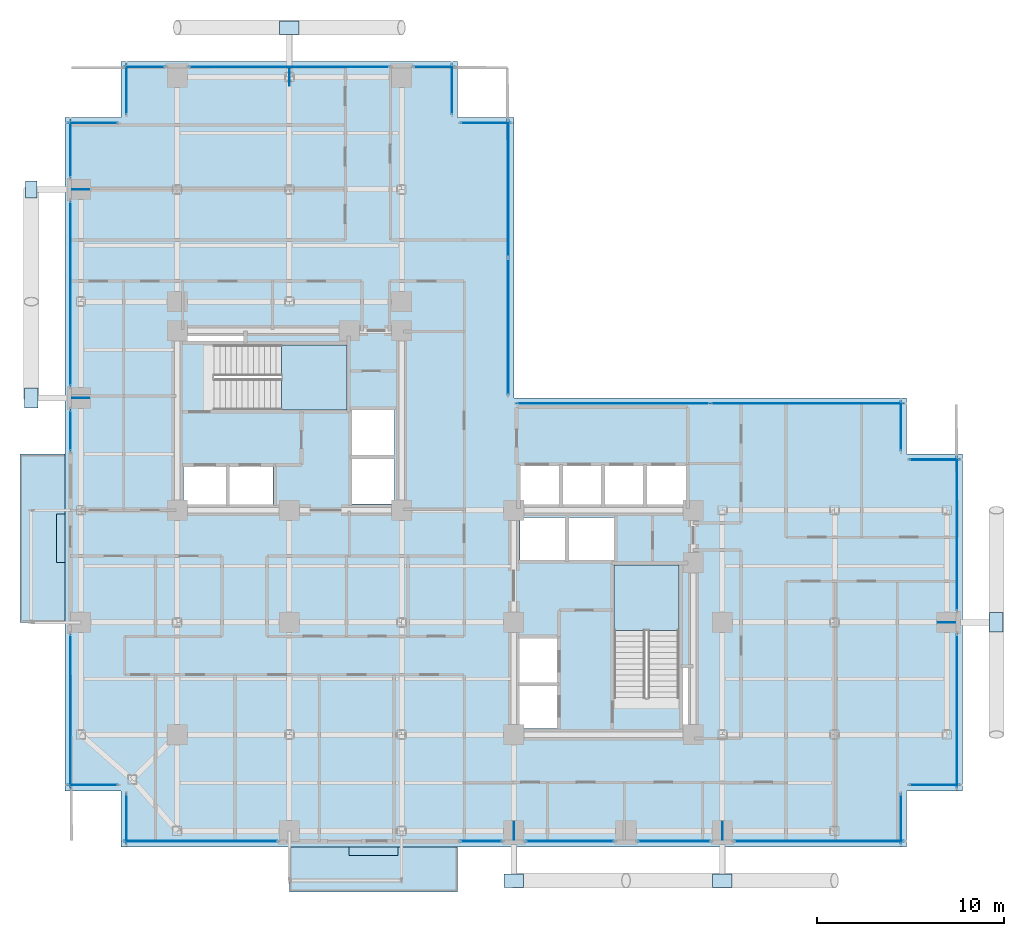
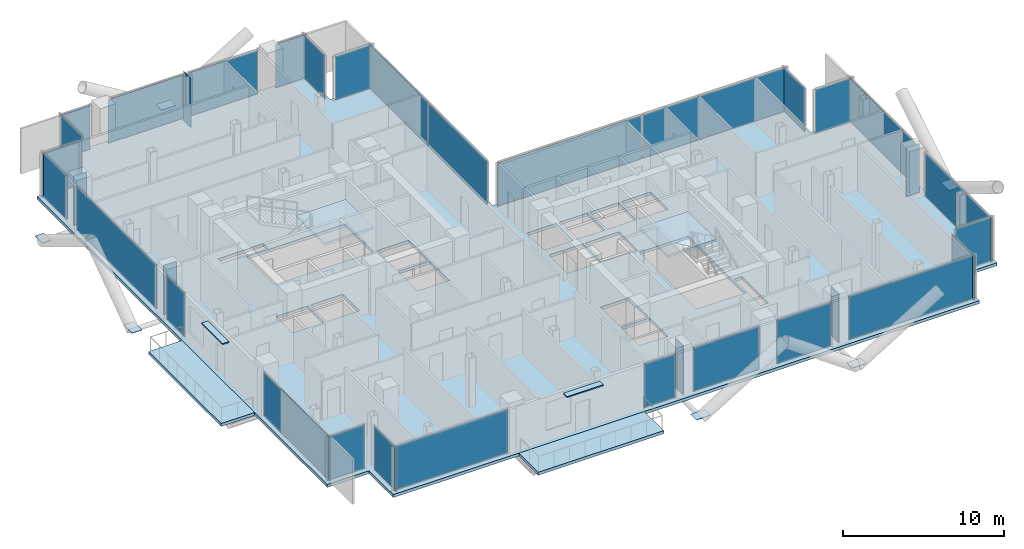
# One storey, part 17 of 24: 42 plates, 5 slabs, 28 elements without a shape of their own.
"""IFC4 building model written with IfcOpenShell, lengths in metres."""

from ifc_helpers import new_model, si_unit, direction, frame, origin, origin_2d, place, context, subcontext, project, spatial, polyline, rectangle, outline, extrude, material, layer, layer_set, type_object, element, aggregate, save


model = new_model("IFC4")

# Units and contexts
model_context = context("Model", 3, precision=1e-05, world=origin(), true_north=direction((0.0, 1.0)))
body_context = subcontext(model_context, "Body", "Model", "MODEL_VIEW")
ifc_project = project(units=[si_unit("LENGTHUNIT", "METRE"), si_unit("AREAUNIT", "SQUARE_METRE"), si_unit("VOLUMEUNIT", "CUBIC_METRE"), si_unit("PLANEANGLEUNIT", "RADIAN"), si_unit("MASSUNIT", "GRAM", prefix="KILO"), si_unit("THERMODYNAMICTEMPERATUREUNIT", "KELVIN"), si_unit("POWERUNIT", "WATT")], contexts=[model_context])

# Site, building, storey
site_placement = place(None, origin())
site = spatial("IfcSite", under=ifc_project, at=site_placement, CompositionType="ELEMENT")
building_placement = place(site_placement, origin())
building = spatial("IfcBuilding", under=site, at=building_placement, Name="Svarakhadi Broadcast Tower", CompositionType="ELEMENT")
storey_placement = place(building_placement, frame((0.0, 0.0, 160.64990234375)))
storey = spatial("IfcBuildingStorey", under=building, at=storey_placement, Name="L39", CompositionType="ELEMENT", Elevation=160.64990234375)

# Curtain wall, plate
ifc_material_1 = material(Name="Anodised Bronze Aluminium AA 6063-T6", Category="aluminium")
ifc_layer_1 = layer(ifc_material_1, 0.199951171875)
ifc_layer_set_1 = layer_set([ifc_layer_1], Name="Anodised Bronze Aluminium AA 6063-T6")
curtain_wall_type = type_object("IfcCurtainWallType", Name="CW_Sys_03", PredefinedType="NOTDEFINED", material=ifc_layer_set_1)
curtain_wall_1_placement = place(storey_placement, origin())
curtain_wall_1 = element("IfcCurtainWall", 1, at=curtain_wall_1_placement, inside=storey, type_object=curtain_wall_type, Name="L39 Unitised Facade Curtain Wall 01", PredefinedType="NOTDEFINED")
ifc_material_2 = material(Name="Double Low-E Laminated Acoustic Glass IGU 36 mm", Category="glass")
ifc_layer_2 = layer(ifc_material_2, 0.035888671875)
ifc_layer_set_2 = layer_set([ifc_layer_2], Name="Double Low-E Laminated Acoustic Glass IGU 36 mm")
plate_type_1 = type_object("IfcPlateType", Name="CW_Sys_03_Pnl", PredefinedType="CURTAIN_PANEL", material=ifc_layer_set_2)
plate_1_placement = place(storey_placement, frame((1.5, 3.300048828125, 0.0703125), z_axis=(0.0, 0.0, 1.0), x_axis=(-1.0, 0.0, 0.0)))
plate_1 = element("IfcPlate", 2, at=plate_1_placement, type_object=plate_type_1, Name="CW-03 panel 1.1", PredefinedType="CURTAIN_PANEL", context=body_context, shape_type="SweptSolid", body=[
    extrude(rectangle(XDim=2.669921875, YDim=0.035888671875, at=origin_2d()), origin(), (0.0, 0.0, 1.0), 3.284912109375),
])
aggregate(curtain_wall_1, [plate_1])

curtain_wall_2_placement = place(storey_placement, origin())
curtain_wall_2 = element("IfcCurtainWall", 3, at=curtain_wall_2_placement, inside=storey, type_object=curtain_wall_type, Name="L39 West Curtain Wall 02", PredefinedType="NOTDEFINED")
plate_2_placement = place(storey_placement, frame((0.300048828125, 7.260009765625, 0.0703125), z_axis=(0.0, 0.0, 1.0), x_axis=(0.0, 1.0, 0.0)))
plate_2 = element("IfcPlate", 4, at=plate_2_placement, type_object=plate_type_1, Name="CW-03 panel 1.1", PredefinedType="CURTAIN_PANEL", context=body_context, shape_type="SweptSolid", body=[
    extrude(rectangle(XDim=8.18994140625, YDim=0.035888671875, at=origin_2d()), origin(), (0.0, 0.0, 1.0), 3.284912109375),
])
aggregate(curtain_wall_2, [plate_2])

curtain_wall_3_placement = place(storey_placement, origin())
curtain_wall_3 = element("IfcCurtainWall", 5, at=curtain_wall_3_placement, inside=storey, type_object=curtain_wall_type, Name="L39 West Curtain Wall 03 Bay 1", PredefinedType="NOTDEFINED")
plate_3_placement = place(storey_placement, frame((0.300048828125, 22.260009765625, 0.0703125), z_axis=(0.0, 0.0, 1.0), x_axis=(0.0, 1.0, 0.0)))
plate_3 = element("IfcPlate", 6, at=plate_3_placement, type_object=plate_type_1, Name="CW-03 panel 1.1", PredefinedType="CURTAIN_PANEL", context=body_context, shape_type="SweptSolid", body=[
    extrude(rectangle(XDim=2.18994140625, YDim=0.035888671875, at=origin_2d()), origin(), (0.0, 0.0, 1.0), 3.284912109375),
])
aggregate(curtain_wall_3, [plate_3])

curtain_wall_4_placement = place(storey_placement, origin())
curtain_wall_4 = element("IfcCurtainWall", 7, at=curtain_wall_4_placement, inside=storey, type_object=curtain_wall_type, Name="L39 West Curtain Wall 03 Bay 2", PredefinedType="NOTDEFINED")
plate_4_placement = place(storey_placement, frame((0.300048828125, 29.574951171875, 0.0703125), z_axis=(0.0, 0.0, 1.0), x_axis=(0.0, 1.0, 0.0)))
plate_4 = element("IfcPlate", 8, at=plate_4_placement, type_object=plate_type_1, Name="CW-03 panel 1.1", PredefinedType="CURTAIN_PANEL", context=body_context, shape_type="SweptSolid", body=[
    extrude(rectangle(XDim=9.860107421875, YDim=0.035888671875, at=origin_2d()), origin(), (0.0, 0.0, 1.0), 3.284912109375),
])
aggregate(curtain_wall_4, [plate_4])

curtain_wall_5_placement = place(storey_placement, origin())
curtain_wall_5 = element("IfcCurtainWall", 9, at=curtain_wall_5_placement, inside=storey, type_object=curtain_wall_type, Name="L39 West Curtain Wall 03 Bay 3", PredefinedType="NOTDEFINED")
plate_5_placement = place(storey_placement, frame((0.300048828125, 37.31494140625, 0.0703125), z_axis=(0.0, 0.0, 1.0), x_axis=(0.0, 1.0, 0.0)))
plate_5 = element("IfcPlate", 10, at=plate_5_placement, type_object=plate_type_1, Name="CW-03 panel 1.1", PredefinedType="CURTAIN_PANEL", context=body_context, shape_type="SweptSolid", body=[
    extrude(rectangle(XDim=3.0400390625, YDim=0.035888671875, at=origin_2d()), origin(), (0.0, 0.0, 1.0), 3.284912109375),
])
aggregate(curtain_wall_5, [plate_5])

curtain_wall_6_placement = place(storey_placement, origin())
curtain_wall_6 = element("IfcCurtainWall", 11, at=curtain_wall_6_placement, inside=storey, type_object=curtain_wall_type, Name="L39 Unitised Facade Curtain Wall 04", PredefinedType="NOTDEFINED")
plate_6_placement = place(storey_placement, frame((1.5, 38.699951171875, 0.0703125), z_axis=(0.0, 0.0, 1.0), x_axis=(1.0, 0.0, 0.0)))
plate_6 = element("IfcPlate", 12, at=plate_6_placement, type_object=plate_type_1, Name="CW-03 panel 1.1", PredefinedType="CURTAIN_PANEL", context=body_context, shape_type="SweptSolid", body=[
    extrude(rectangle(XDim=2.669921875, YDim=0.035888671875, at=origin_2d()), origin(), (0.0, 0.0, 1.0), 3.284912109375),
])
aggregate(curtain_wall_6, [plate_6])

curtain_wall_7_placement = place(storey_placement, origin())
curtain_wall_7 = element("IfcCurtainWall", 13, at=curtain_wall_7_placement, inside=storey, type_object=curtain_wall_type, Name="L39 Unitised Facade Curtain Wall 05", PredefinedType="NOTDEFINED")
plate_7_placement = place(storey_placement, frame((3.300048828125, 40.5, 0.0703125), z_axis=(0.0, 0.0, 1.0), x_axis=(0.0, 1.0, 0.0)))
plate_7 = element("IfcPlate", 14, at=plate_7_placement, type_object=plate_type_1, Name="CW-03 panel 1.1", PredefinedType="CURTAIN_PANEL", context=body_context, shape_type="SweptSolid", body=[
    extrude(rectangle(XDim=2.669921875, YDim=0.035888671875, at=origin_2d()), origin(), (0.0, 0.0, 1.0), 3.284912109375),
])
aggregate(curtain_wall_7, [plate_7])

curtain_wall_8_placement = place(storey_placement, origin())
curtain_wall_8 = element("IfcCurtainWall", 15, at=curtain_wall_8_placement, inside=storey, type_object=curtain_wall_type, Name="L39 Unitised Facade Curtain Wall 06 Bay 1", PredefinedType="NOTDEFINED")
plate_8_placement = place(storey_placement, frame((4.260009765625, 41.699951171875, 0.0703125), z_axis=(0.0, 0.0, 1.0), x_axis=(1.0, 0.0, 0.0)))
plate_8 = element("IfcPlate", 16, at=plate_8_placement, type_object=plate_type_1, Name="CW-03 panel 1.1", PredefinedType="CURTAIN_PANEL", context=body_context, shape_type="SweptSolid", body=[
    extrude(rectangle(XDim=2.18994140625, YDim=0.035888671875, at=origin_2d()), origin(), (0.0, 0.0, 1.0), 3.284912109375),
])
aggregate(curtain_wall_8, [plate_8])

curtain_wall_9_placement = place(storey_placement, origin())
curtain_wall_9 = element("IfcCurtainWall", 17, at=curtain_wall_9_placement, inside=storey, type_object=curtain_wall_type, Name="L39 Unitised Facade Curtain Wall 06 Bay 2", PredefinedType="NOTDEFINED")
plate_9_placement = place(storey_placement, frame((12.0, 41.699951171875, 0.0703125), z_axis=(0.0, 0.0, 1.0), x_axis=(1.0, 0.0, 0.0)))
plate_9 = element("IfcPlate", 18, at=plate_9_placement, type_object=plate_type_1, Name="CW-03 panel 1.1", PredefinedType="CURTAIN_PANEL", context=body_context, shape_type="SweptSolid", body=[
    extrude(rectangle(XDim=10.7099609375, YDim=0.035888671875, at=origin_2d()), origin(), (0.0, 0.0, 1.0), 3.284912109375),
])
aggregate(curtain_wall_9, [plate_9])

curtain_wall_10_placement = place(storey_placement, origin())
curtain_wall_10 = element("IfcCurtainWall", 19, at=curtain_wall_10_placement, inside=storey, type_object=curtain_wall_type, Name="L39 Unitised Facade Curtain Wall 06 Bay 3", PredefinedType="NOTDEFINED")
plate_10_placement = place(storey_placement, frame((19.739990234375, 41.699951171875, 0.0703125), z_axis=(0.0, 0.0, 1.0), x_axis=(1.0, 0.0, 0.0)))
plate_10 = element("IfcPlate", 20, at=plate_10_placement, type_object=plate_type_1, Name="CW-03 panel 1.1", PredefinedType="CURTAIN_PANEL", context=body_context, shape_type="SweptSolid", body=[
    extrude(rectangle(XDim=2.18994140625, YDim=0.035888671875, at=origin_2d()), origin(), (0.0, 0.0, 1.0), 3.284912109375),
])
aggregate(curtain_wall_10, [plate_10])

curtain_wall_11_placement = place(storey_placement, origin())
curtain_wall_11 = element("IfcCurtainWall", 21, at=curtain_wall_11_placement, inside=storey, type_object=curtain_wall_type, Name="L39 Unitised Facade Curtain Wall 07", PredefinedType="NOTDEFINED")
plate_11_placement = place(storey_placement, frame((20.699951171875, 40.5, 0.0703125), z_axis=(0.0, 0.0, 1.0), x_axis=(0.0, -1.0, 0.0)))
plate_11 = element("IfcPlate", 22, at=plate_11_placement, type_object=plate_type_1, Name="CW-03 panel 1.1", PredefinedType="CURTAIN_PANEL", context=body_context, shape_type="SweptSolid", body=[
    extrude(rectangle(XDim=2.669921875, YDim=0.035888671875, at=origin_2d()), origin(), (0.0, 0.0, 1.0), 3.284912109375),
])
aggregate(curtain_wall_11, [plate_11])

curtain_wall_12_placement = place(storey_placement, origin())
curtain_wall_12 = element("IfcCurtainWall", 23, at=curtain_wall_12_placement, inside=storey, type_object=curtain_wall_type, Name="L39 Unitised Facade Curtain Wall 08", PredefinedType="NOTDEFINED")
plate_12_placement = place(storey_placement, frame((22.5, 38.699951171875, 0.0703125), z_axis=(0.0, 0.0, 1.0), x_axis=(1.0, 0.0, 0.0)))
plate_12 = element("IfcPlate", 24, at=plate_12_placement, type_object=plate_type_1, Name="CW-03 panel 1.1", PredefinedType="CURTAIN_PANEL", context=body_context, shape_type="SweptSolid", body=[
    extrude(rectangle(XDim=2.669921875, YDim=0.035888671875, at=origin_2d()), origin(), (0.0, 0.0, 1.0), 3.284912109375),
])
aggregate(curtain_wall_12, [plate_12])

# Curtain wall, plates
curtain_wall_13_placement = place(storey_placement, origin())
curtain_wall_13 = element("IfcCurtainWall", 25, at=curtain_wall_13_placement, inside=storey, type_object=curtain_wall_type, Name="L39 Unitised Facade Curtain Wall 09", PredefinedType="NOTDEFINED")
plate_13_placement = place(storey_placement, frame((23.699951171875, 35.186279296875, 0.0703125), z_axis=(0.0, 0.0, 1.0), x_axis=(0.0, -1.0, 0.0)))
plate_13 = element("IfcPlate", 26, at=plate_13_placement, type_object=plate_type_1, Name="CW-03 panel 1.1", PredefinedType="CURTAIN_PANEL", context=body_context, shape_type="SweptSolid", body=[
    extrude(rectangle(XDim=7.297607421875, YDim=0.035888671875, at=origin_2d()), origin(), (0.0, 0.0, 1.0), 3.284912109375),
])
plate_14_placement = place(storey_placement, frame((23.699951171875, 27.813720703125, 0.0703125), z_axis=(0.0, 0.0, 1.0), x_axis=(0.0, -1.0, 0.0)))
plate_14 = element("IfcPlate", 27, at=plate_14_placement, type_object=plate_type_1, Name="CW-03 panel 2.1", PredefinedType="CURTAIN_PANEL", context=body_context, shape_type="SweptSolid", body=[
    extrude(rectangle(XDim=7.297607421875, YDim=0.035888671875, at=origin_2d()), origin(), (0.0, 0.0, 1.0), 3.284912109375),
])
aggregate(curtain_wall_13, [plate_13, plate_14])

curtain_wall_14_placement = place(storey_placement, origin())
curtain_wall_14 = element("IfcCurtainWall", 28, at=curtain_wall_14_placement, inside=storey, type_object=curtain_wall_type, Name="L39 Unitised Facade Curtain Wall 10", PredefinedType="NOTDEFINED")
plate_15_placement = place(storey_placement, frame((29.313720703125, 23.699951171875, 0.0703125), z_axis=(0.0, 0.0, 1.0), x_axis=(1.0, 0.0, 0.0)))
plate_15 = element("IfcPlate", 29, at=plate_15_placement, type_object=plate_type_1, Name="CW-03 panel 1.1", PredefinedType="CURTAIN_PANEL", context=body_context, shape_type="SweptSolid", body=[
    extrude(rectangle(XDim=10.297607421875, YDim=0.035888671875, at=origin_2d()), origin(), (0.0, 0.0, 1.0), 3.284912109375),
])
plate_16_placement = place(storey_placement, frame((39.686279296875, 23.699951171875, 0.0703125), z_axis=(0.0, 0.0, 1.0), x_axis=(1.0, 0.0, 0.0)))
plate_16 = element("IfcPlate", 30, at=plate_16_placement, type_object=plate_type_1, Name="CW-03 panel 2.1", PredefinedType="CURTAIN_PANEL", context=body_context, shape_type="SweptSolid", body=[
    extrude(rectangle(XDim=10.297607421875, YDim=0.035888671875, at=origin_2d()), origin(), (0.0, 0.0, 1.0), 3.284912109375),
])
aggregate(curtain_wall_14, [plate_15, plate_16])

# Curtain wall, plate
curtain_wall_15_placement = place(storey_placement, origin())
curtain_wall_15 = element("IfcCurtainWall", 31, at=curtain_wall_15_placement, inside=storey, type_object=curtain_wall_type, Name="L39 Unitised Facade Curtain Wall 11", PredefinedType="NOTDEFINED")
plate_17_placement = place(storey_placement, frame((44.699951171875, 22.5, 0.0703125), z_axis=(0.0, 0.0, 1.0), x_axis=(0.0, -1.0, 0.0)))
plate_17 = element("IfcPlate", 32, at=plate_17_placement, type_object=plate_type_1, Name="CW-03 panel 1.1", PredefinedType="CURTAIN_PANEL", context=body_context, shape_type="SweptSolid", body=[
    extrude(rectangle(XDim=2.669921875, YDim=0.035888671875, at=origin_2d()), origin(), (0.0, 0.0, 1.0), 3.284912109375),
])
aggregate(curtain_wall_15, [plate_17])

curtain_wall_16_placement = place(storey_placement, origin())
curtain_wall_16 = element("IfcCurtainWall", 33, at=curtain_wall_16_placement, inside=storey, type_object=curtain_wall_type, Name="L39 Unitised Facade Curtain Wall 12", PredefinedType="NOTDEFINED")
plate_18_placement = place(storey_placement, frame((46.5, 20.699951171875, 0.0703125), z_axis=(0.0, 0.0, 1.0), x_axis=(1.0, 0.0, 0.0)))
plate_18 = element("IfcPlate", 34, at=plate_18_placement, type_object=plate_type_1, Name="CW-03 panel 1.1", PredefinedType="CURTAIN_PANEL", context=body_context, shape_type="SweptSolid", body=[
    extrude(rectangle(XDim=2.669921875, YDim=0.035888671875, at=origin_2d()), origin(), (0.0, 0.0, 1.0), 3.284912109375),
])
aggregate(curtain_wall_16, [plate_18])

curtain_wall_17_placement = place(storey_placement, origin())
curtain_wall_17 = element("IfcCurtainWall", 35, at=curtain_wall_17_placement, inside=storey, type_object=curtain_wall_type, Name="L39 Unitised Facade Curtain Wall 13 Bay 1", PredefinedType="NOTDEFINED")
plate_19_placement = place(storey_placement, frame((47.699951171875, 16.739990234375, 0.0703125), z_axis=(0.0, 0.0, 1.0), x_axis=(0.0, -1.0, 0.0)))
plate_19 = element("IfcPlate", 36, at=plate_19_placement, type_object=plate_type_1, Name="CW-03 panel 1.1", PredefinedType="CURTAIN_PANEL", context=body_context, shape_type="SweptSolid", body=[
    extrude(rectangle(XDim=8.18994140625, YDim=0.035888671875, at=origin_2d()), origin(), (0.0, 0.0, 1.0), 3.284912109375),
])
aggregate(curtain_wall_17, [plate_19])

curtain_wall_18_placement = place(storey_placement, origin())
curtain_wall_18 = element("IfcCurtainWall", 37, at=curtain_wall_18_placement, inside=storey, type_object=curtain_wall_type, Name="L39 Unitised Facade Curtain Wall 13 Bay 2", PredefinedType="NOTDEFINED")
plate_20_placement = place(storey_placement, frame((47.699951171875, 7.260009765625, 0.0703125), z_axis=(0.0, 0.0, 1.0), x_axis=(0.0, -1.0, 0.0)))
plate_20 = element("IfcPlate", 38, at=plate_20_placement, type_object=plate_type_1, Name="CW-03 panel 1.1", PredefinedType="CURTAIN_PANEL", context=body_context, shape_type="SweptSolid", body=[
    extrude(rectangle(XDim=8.18994140625, YDim=0.035888671875, at=origin_2d()), origin(), (0.0, 0.0, 1.0), 3.284912109375),
])
aggregate(curtain_wall_18, [plate_20])

curtain_wall_19_placement = place(storey_placement, origin())
curtain_wall_19 = element("IfcCurtainWall", 39, at=curtain_wall_19_placement, inside=storey, type_object=curtain_wall_type, Name="L39 Unitised Facade Curtain Wall 14", PredefinedType="NOTDEFINED")
plate_21_placement = place(storey_placement, frame((46.5, 3.300048828125, 0.0703125), z_axis=(0.0, 0.0, 1.0), x_axis=(-1.0, 0.0, 0.0)))
plate_21 = element("IfcPlate", 40, at=plate_21_placement, type_object=plate_type_1, Name="CW-03 panel 1.1", PredefinedType="CURTAIN_PANEL", context=body_context, shape_type="SweptSolid", body=[
    extrude(rectangle(XDim=2.669921875, YDim=0.035888671875, at=origin_2d()), origin(), (0.0, 0.0, 1.0), 3.284912109375),
])
aggregate(curtain_wall_19, [plate_21])

curtain_wall_20_placement = place(storey_placement, origin())
curtain_wall_20 = element("IfcCurtainWall", 41, at=curtain_wall_20_placement, inside=storey, type_object=curtain_wall_type, Name="L39 Unitised Facade Curtain Wall 15", PredefinedType="NOTDEFINED")
plate_22_placement = place(storey_placement, frame((44.699951171875, 1.5, 0.0703125), z_axis=(0.0, 0.0, 1.0), x_axis=(0.0, -1.0, 0.0)))
plate_22 = element("IfcPlate", 42, at=plate_22_placement, type_object=plate_type_1, Name="CW-03 panel 1.1", PredefinedType="CURTAIN_PANEL", context=body_context, shape_type="SweptSolid", body=[
    extrude(rectangle(XDim=2.669921875, YDim=0.035888671875, at=origin_2d()), origin(), (0.0, 0.0, 1.0), 3.284912109375),
])
aggregate(curtain_wall_20, [plate_22])

curtain_wall_21_placement = place(storey_placement, origin())
curtain_wall_21 = element("IfcCurtainWall", 43, at=curtain_wall_21_placement, inside=storey, type_object=curtain_wall_type, Name="L39 South Curtain Wall 16 Bay 1", PredefinedType="NOTDEFINED")
plate_23_placement = place(storey_placement, frame((40.31494140625, 0.300048828125, 0.0703125), z_axis=(0.0, 0.0, 1.0), x_axis=(-1.0, 0.0, 0.0)))
plate_23 = element("IfcPlate", 44, at=plate_23_placement, type_object=plate_type_1, Name="CW-03 panel 1.1", PredefinedType="CURTAIN_PANEL", context=body_context, shape_type="SweptSolid", body=[
    extrude(rectangle(XDim=9.0400390625, YDim=0.035888671875, at=origin_2d()), origin(), (0.0, 0.0, 1.0), 3.284912109375),
])
aggregate(curtain_wall_21, [plate_23])

curtain_wall_22_placement = place(storey_placement, origin())
curtain_wall_22 = element("IfcCurtainWall", 45, at=curtain_wall_22_placement, inside=storey, type_object=curtain_wall_type, Name="L39 South Curtain Wall 16 Bay 2", PredefinedType="NOTDEFINED")
plate_24_placement = place(storey_placement, frame((32.574951171875, 0.300048828125, 0.0703125), z_axis=(0.0, 0.0, 1.0), x_axis=(-1.0, 0.0, 0.0)))
plate_24 = element("IfcPlate", 46, at=plate_24_placement, type_object=plate_type_1, Name="CW-03 panel 1.1", PredefinedType="CURTAIN_PANEL", context=body_context, shape_type="SweptSolid", body=[
    extrude(rectangle(XDim=3.860107421875, YDim=0.035888671875, at=origin_2d()), origin(), (0.0, 0.0, 1.0), 3.284912109375),
])
aggregate(curtain_wall_22, [plate_24])

curtain_wall_23_placement = place(storey_placement, origin())
curtain_wall_23 = element("IfcCurtainWall", 47, at=curtain_wall_23_placement, inside=storey, type_object=curtain_wall_type, Name="L39 South Curtain Wall 16 Bay 3", PredefinedType="NOTDEFINED")
plate_25_placement = place(storey_placement, frame((27.0, 0.300048828125, 0.0703125), z_axis=(0.0, 0.0, 1.0), x_axis=(-1.0, 0.0, 0.0)))
plate_25 = element("IfcPlate", 48, at=plate_25_placement, type_object=plate_type_1, Name="CW-03 panel 1.1", PredefinedType="CURTAIN_PANEL", context=body_context, shape_type="SweptSolid", body=[
    extrude(rectangle(XDim=4.7099609375, YDim=0.035888671875, at=origin_2d()), origin(), (0.0, 0.0, 1.0), 3.284912109375),
])
aggregate(curtain_wall_23, [plate_25])

curtain_wall_24_placement = place(storey_placement, origin())
curtain_wall_24 = element("IfcCurtainWall", 49, at=curtain_wall_24_placement, inside=storey, type_object=curtain_wall_type, Name="L39 South Curtain Wall 16 Bay 4", PredefinedType="NOTDEFINED")
plate_26_placement = place(storey_placement, frame((22.260009765625, 0.300048828125, 0.0703125), z_axis=(0.0, 0.0, 1.0), x_axis=(-1.0, 0.0, 0.0)))
plate_26 = element("IfcPlate", 50, at=plate_26_placement, type_object=plate_type_1, Name="CW-03 panel 1.1", PredefinedType="CURTAIN_PANEL", context=body_context, shape_type="SweptSolid", body=[
    extrude(rectangle(XDim=2.18994140625, YDim=0.035888671875, at=origin_2d()), origin(), (0.0, 0.0, 1.0), 3.284912109375),
])
aggregate(curtain_wall_24, [plate_26])

curtain_wall_25_placement = place(storey_placement, origin())
curtain_wall_25 = element("IfcCurtainWall", 51, at=curtain_wall_25_placement, inside=storey, type_object=curtain_wall_type, Name="L39 South Curtain Wall 17", PredefinedType="NOTDEFINED")
plate_27_placement = place(storey_placement, frame((7.260009765625, 0.300048828125, 0.0703125), z_axis=(0.0, 0.0, 1.0), x_axis=(-1.0, 0.0, 0.0)))
plate_27 = element("IfcPlate", 52, at=plate_27_placement, type_object=plate_type_1, Name="CW-03 panel 1.1", PredefinedType="CURTAIN_PANEL", context=body_context, shape_type="SweptSolid", body=[
    extrude(rectangle(XDim=8.18994140625, YDim=0.035888671875, at=origin_2d()), origin(), (0.0, 0.0, 1.0), 3.284912109375),
])
aggregate(curtain_wall_25, [plate_27])

curtain_wall_26_placement = place(storey_placement, origin())
curtain_wall_26 = element("IfcCurtainWall", 53, at=curtain_wall_26_placement, inside=storey, type_object=curtain_wall_type, Name="L39 Unitised Facade Curtain Wall 18", PredefinedType="NOTDEFINED")
plate_28_placement = place(storey_placement, frame((3.300048828125, 1.5, 0.0703125), z_axis=(0.0, 0.0, 1.0), x_axis=(0.0, 1.0, 0.0)))
plate_28 = element("IfcPlate", 54, at=plate_28_placement, type_object=plate_type_1, Name="CW-03 panel 1.1", PredefinedType="CURTAIN_PANEL", context=body_context, shape_type="SweptSolid", body=[
    extrude(rectangle(XDim=2.669921875, YDim=0.035888671875, at=origin_2d()), origin(), (0.0, 0.0, 1.0), 3.284912109375),
])
aggregate(curtain_wall_26, [plate_28])

# Plates
ifc_material_3 = material(Name="Steel S460ML (IS 2062 E450BR)", Category="steel")
ifc_layer_3 = layer(ifc_material_3, 0.031982421875)
ifc_layer_set_3 = layer_set([ifc_layer_3], Name="Steel S460ML (IS 2062 E450BR)")
plate_type_2 = type_object("IfcPlateType", Name="Node_Gusset_N02", PredefinedType="SHEET", material=ifc_layer_set_3)
for number, where, z_axis, x_axis, name in (
    (55, (24.0, -1.800048828125, -0.22509765625), (0.0, 0.0, 1.0), (1.0, 0.0, 0.0), "L39 Exoskeleton Gusset Node Plate S01"),
    (56, (35.14990234375, -1.800048828125, -0.22509765625), (0.0, 0.0, 1.0), (1.0, 0.0, 0.0), "L39 Exoskeleton Gusset Node Plate S02"),
    (57, (-1.800048828125, 24.0, -0.22509765625), (0.0, 0.0, 1.0), (0.0, 1.0, 0.0), "L39 Exoskeleton Gusset Node Plate W03"),
    (58, (49.800048828125, 12.0, -0.22509765625), (0.0, 0.0, 1.0), (0.0, 1.0, 0.0), "L39 Exoskeleton Gusset Node Plate E05"),
    (59, (12.0, 43.800048828125, -0.22509765625), (0.0, 0.0, 1.0), (1.0, 0.0, 0.0), "L39 Exoskeleton Gusset Node Plate N06"),
):
    element("IfcPlate", number, at=place(storey_placement, frame(where, z_axis=z_axis, x_axis=x_axis)), inside=storey, type_object=plate_type_2, Name=name, PredefinedType="SHEET", context=body_context, shape_type="SweptSolid", body=[
        extrude(rectangle(XDim=1.050048828125, YDim=0.719970703125, at=origin_2d()), origin(), (0.0, 0.0, 1.0), 0.031982421875),
    ])
ifc_layer_4 = layer(ifc_material_3, 0.02587890625)
ifc_layer_set_4 = layer_set([ifc_layer_4], Name="Steel S460ML (IS 2062 E450BR)")
plate_type_3 = type_object("IfcPlateType", Name="Node_Gusset_N07", PredefinedType="SHEET", material=ifc_layer_set_4)
plate_29_placement = place(storey_placement, frame((-1.800048828125, 35.14990234375, -0.224853515625), z_axis=(0.0, 0.0, 1.0), x_axis=(0.0, 1.0, 0.0)))
element("IfcPlate", 60, at=plate_29_placement, inside=storey, type_object=plate_type_3, Name="L39 Exoskeleton Gusset Node Plate W04", PredefinedType="SHEET", context=body_context, shape_type="SweptSolid", body=[
    extrude(rectangle(XDim=0.919921875, YDim=0.6201171875, at=origin_2d()), origin(), (0.0, 0.0, 1.0), 0.02587890625),
])
for number, where, z_axis, x_axis, name in (
    (61, (24.0, 0.85009765625, -0.5869140625), (0.0, 0.0, 1.0), (0.0, 1.0, 0.0), "L39 Brace End Connection Gusset Plate N-07-E0321"),
    (62, (35.14990234375, 0.85009765625, -0.5869140625), (0.0, 0.0, 1.0), (0.0, 1.0, 0.0), "L39 Brace End Connection Gusset Plate N-07-E0322"),
    (63, (0.85009765625, 24.0, -0.5869140625), (0.0, 0.0, 1.0), (1.0, 0.0, 0.0), "L39 Brace End Connection Gusset Plate N-07-E0323"),
    (64, (0.85009765625, 35.14990234375, -0.5869140625), (0.0, 0.0, 1.0), (1.0, 0.0, 0.0), "L39 Brace End Connection Gusset Plate N-07-E0324"),
    (65, (47.14990234375, 12.0, -0.5869140625), (0.0, 0.0, 1.0), (1.0, 0.0, 0.0), "L39 Brace End Connection Gusset Plate N-07-E0325"),
    (66, (12.0, 41.14990234375, -0.5869140625), (0.0, 0.0, 1.0), (0.0, 1.0, 0.0), "L39 Brace End Connection Gusset Plate N-07-E0326"),
):
    element("IfcPlate", number, at=place(storey_placement, frame(where, z_axis=z_axis, x_axis=x_axis)), inside=storey, type_object=plate_type_3, Name=name, PredefinedType="SHEET", context=body_context, shape_type="SweptSolid", body=[
        extrude(rectangle(XDim=0.919921875, YDim=0.02587890625, at=origin_2d()), origin(), (0.0, 0.0, 1.0), 4.300048828125),
    ])

# Slab
ifc_material_4 = material(Name="Concrete C40/50 (IS 456 M50)", Category="concrete")
ifc_layer_5 = layer(ifc_material_4, 0.22509765625)
ifc_layer_set_5 = layer_set([ifc_layer_5], Name="Concrete C40/50 (IS 456 M50)")
slab_type_1 = type_object("IfcSlabType", Name="Slab_Floor_225", PredefinedType="FLOOR", material=ifc_layer_set_5)
slab_1_placement = place(storey_placement, frame((0.0, 0.0, -0.224853515625)))
element("IfcSlab", 67, at=slab_1_placement, inside=storey, type_object=slab_type_1, Name="L39 Structural Floor Slab", PredefinedType="FLOOR", context=body_context, shape_type="SweptSolid", body=[
    extrude(outline(polyline([(3.0, 0.0), (45.0, 0.0), (45.0, 3.0), (48.0, 3.0), (48.0, 21.0), (45.0, 21.0), (45.0, 24.0), (24.0, 24.0), (24.0, 39.0), (21.0, 39.0), (21.0, 42.0), (3.0, 42.0), (3.0, 39.0), (0.0, 39.0), (0.0, 3.0), (3.0, 3.0), (3.0, 0.0)]), holes=[polyline([(7.97998046875, 23.360107421875), (15.080078125, 23.360107421875), (15.080078125, 26.840087890625), (7.97998046875, 26.840087890625), (7.97998046875, 23.360107421875)]), polyline([(32.840087890625, 7.97998046875), (32.840087890625, 15.080078125), (29.360107421875, 15.080078125), (29.360107421875, 7.97998046875), (32.840087890625, 7.97998046875)]), polyline([(6.340087890625, 18.2900390625), (8.610107421875, 18.2900390625), (8.610107421875, 20.330078125), (6.340087890625, 20.330078125), (6.340087890625, 18.2900390625)]), polyline([(8.7900390625, 18.2900390625), (11.1298828125, 18.2900390625), (11.1298828125, 20.330078125), (8.7900390625, 20.330078125), (8.7900390625, 18.2900390625)]), polyline([(24.2900390625, 6.340087890625), (26.330078125, 6.340087890625), (26.330078125, 8.610107421875), (24.2900390625, 8.610107421875), (24.2900390625, 6.340087890625)]), polyline([(24.2900390625, 8.7900390625), (26.330078125, 8.7900390625), (26.330078125, 11.1298828125), (24.2900390625, 11.1298828125), (24.2900390625, 8.7900390625)]), polyline([(6.340087890625, 26.989990234375), (9.610107421875, 26.989990234375), (9.610107421875, 27.530029296875), (6.340087890625, 27.530029296875), (6.340087890625, 26.989990234375)]), polyline([(32.989990234375, 6.340087890625), (33.530029296875, 6.340087890625), (33.530029296875, 9.610107421875), (32.989990234375, 9.610107421875), (32.989990234375, 6.340087890625)]), polyline([(15.340087890625, 18.340087890625), (17.610107421875, 18.340087890625), (17.610107421875, 20.760009765625), (15.340087890625, 20.760009765625), (15.340087890625, 18.340087890625)]), polyline([(15.340087890625, 20.93994140625), (17.610107421875, 20.93994140625), (17.610107421875, 23.360107421875), (15.340087890625, 23.360107421875), (15.340087890625, 20.93994140625)]), polyline([(24.340087890625, 15.340087890625), (26.760009765625, 15.340087890625), (26.760009765625, 17.610107421875), (24.340087890625, 17.610107421875), (24.340087890625, 15.340087890625)]), polyline([(26.93994140625, 15.340087890625), (29.360107421875, 15.340087890625), (29.360107421875, 17.610107421875), (26.93994140625, 17.610107421875), (26.93994140625, 15.340087890625)]), polyline([(24.340087890625, 18.239990234375), (26.429931640625, 18.239990234375), (26.429931640625, 20.360107421875), (24.340087890625, 20.360107421875), (24.340087890625, 18.239990234375)]), polyline([(26.610107421875, 18.239990234375), (28.679931640625, 18.239990234375), (28.679931640625, 20.360107421875), (26.610107421875, 20.360107421875), (26.610107421875, 18.239990234375)]), polyline([(28.860107421875, 18.239990234375), (30.929931640625, 18.239990234375), (30.929931640625, 20.360107421875), (28.860107421875, 20.360107421875), (28.860107421875, 18.239990234375)]), polyline([(31.110107421875, 18.239990234375), (33.2099609375, 18.239990234375), (33.2099609375, 20.360107421875), (31.110107421875, 20.360107421875), (31.110107421875, 18.239990234375)])]), origin(), (0.0, 0.0, 1.0), 0.224853515625),
])

# Stair, slab
stair_type = type_object("IfcStairType", Name="Stair_Exit_Core", PredefinedType="HALF_TURN_STAIR", material=ifc_material_4)
stair_1_placement = place(storey_placement, origin())
stair_1 = element("IfcStair", 68, at=stair_1_placement, inside=storey, type_object=stair_type, Name="L39 West Core Protected Exit Stair ST-01", PredefinedType="HALF_TURN_STAIR")
ifc_layer_6 = layer(ifc_material_4, 0.199951171875)
ifc_layer_set_6 = layer_set([ifc_layer_6], Name="Concrete C40/50 (IS 456 M50)")
slab_type_2 = type_object("IfcSlabType", Name="Slab_Stair_Land", PredefinedType="LANDING", material=ifc_layer_set_6)
slab_2_placement = place(storey_placement, frame((0.0, 0.0, 1.675048828125)))
slab_2 = element("IfcSlab", 69, at=slab_2_placement, type_object=slab_type_2, Name="ST-01 landing 1", PredefinedType="LANDING", context=body_context, shape_type="SweptSolid", body=[
    extrude(outline(polyline([(11.580078125, 23.360107421875), (15.080078125, 23.360107421875), (15.080078125, 26.840087890625), (11.580078125, 26.840087890625), (11.580078125, 23.360107421875)])), origin(), (0.0, 0.0, 1.0), 0.199951171875),
])
aggregate(stair_1, [slab_2])

stair_2_placement = place(storey_placement, origin())
stair_2 = element("IfcStair", 70, at=stair_2_placement, inside=storey, type_object=stair_type, Name="L39 East Core Protected Exit Stair ST-02", PredefinedType="HALF_TURN_STAIR")
slab_3_placement = place(storey_placement, frame((0.0, 0.0, 1.675048828125)))
slab_3 = element("IfcSlab", 71, at=slab_3_placement, type_object=slab_type_2, Name="ST-02 landing 1", PredefinedType="LANDING", context=body_context, shape_type="SweptSolid", body=[
    extrude(outline(polyline([(32.840087890625, 11.580078125), (32.840087890625, 15.080078125), (29.360107421875, 15.080078125), (29.360107421875, 11.580078125), (32.840087890625, 11.580078125)])), origin(), (0.0, 0.0, 1.0), 0.199951171875),
])
aggregate(stair_2, [slab_3])

# Slabs
ifc_layer_7 = layer(ifc_material_4, 0.22509765625)
ifc_layer_set_7 = layer_set([ifc_layer_7], Name="Concrete C40/50 (IS 456 M50)")
slab_type_3 = type_object("IfcSlabType", Name="Slab_TreeBalcony", PredefinedType="FLOOR", material=ifc_layer_set_7)
slab_4_placement = place(storey_placement, frame((0.0, 0.0, -0.224853515625)))
element("IfcSlab", 72, at=slab_4_placement, inside=storey, type_object=slab_type_3, Name="L39 Planted Tree Balcony Slab BAL-S", PredefinedType="FLOOR", context=body_context, shape_type="SweptSolid", body=[
    extrude(outline(polyline([(12.0, -2.39990234375), (21.0, -2.39990234375), (21.0, 0.0), (12.0, 0.0), (12.0, -2.39990234375)])), origin(), (0.0, 0.0, 1.0), 0.224853515625),
])
slab_5_placement = place(storey_placement, frame((0.0, 0.0, -0.224853515625)))
element("IfcSlab", 73, at=slab_5_placement, inside=storey, type_object=slab_type_3, Name="L39 Planted Tree Balcony Slab BAL-W", PredefinedType="FLOOR", context=body_context, shape_type="SweptSolid", body=[
    extrude(outline(polyline([(-2.39990234375, 12.0), (0.0, 12.0), (0.0, 21.0), (-2.39990234375, 21.0), (-2.39990234375, 12.0)])), origin(), (0.0, 0.0, 1.0), 0.224853515625),
])

# Plates
ifc_layer_8 = layer(ifc_material_1, 0.080078125)
ifc_layer_set_8 = layer_set([ifc_layer_8], Name="Anodised Bronze Aluminium AA 6063-T6")
plate_type_4 = type_object("IfcPlateType", Name="Sunshade_Fin_SS01", PredefinedType="USERDEFINED", material=ifc_layer_set_8)
for number, where, z_axis, x_axis, name in (
    (74, (16.5, -0.22509765625, 3.344970703125), (0.0, 0.0, 1.0), (1.0, 0.0, 0.0), "L39 South Bronze Brise-Soleil Sunshade SS-01"),
    (75, (-0.22509765625, 16.5, 3.344970703125), (0.0, 0.0, 1.0), (0.0, 1.0, 0.0), "L39 West Bronze Brise-Soleil Sunshade SS-01"),
):
    element("IfcPlate", number, at=place(storey_placement, frame(where, z_axis=z_axis, x_axis=x_axis)), inside=storey, type_object=plate_type_4, Name=name, ObjectType="SUNSHADE", PredefinedType="USERDEFINED", context=body_context, shape_type="SweptSolid", body=[
        extrude(rectangle(XDim=2.60009765625, YDim=0.449951171875, at=origin_2d()), origin(), (0.0, 0.0, 1.0), 0.080078125),
    ])

save(model, "model.ifc")
